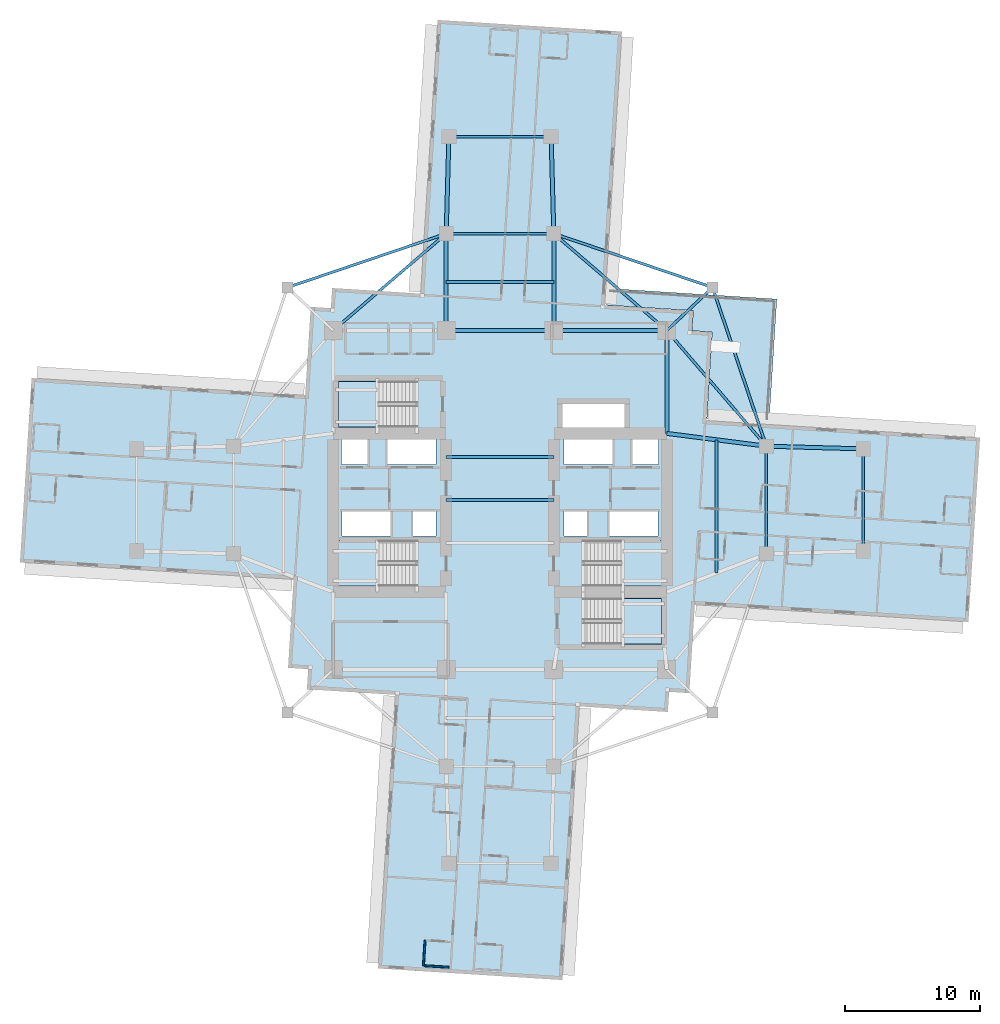
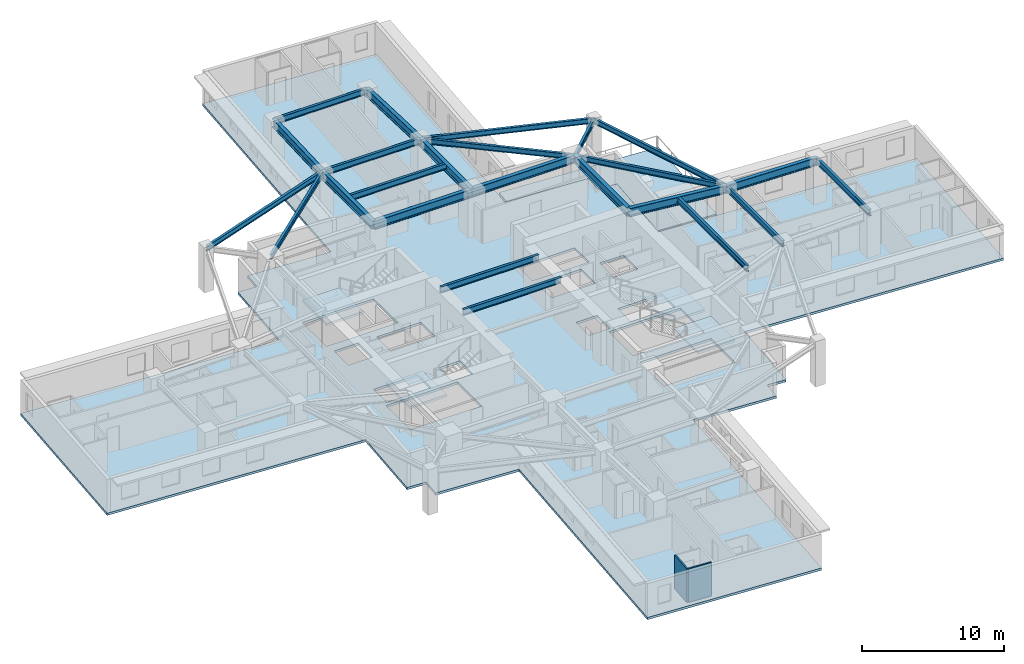
# One storey, part 2 of 14: 24 beams, 6 slabs, 2 walls, 4 elements without a shape of their own.
"""IFC4 building model written with IfcOpenShell, lengths in metres."""

from ifc_helpers import new_model, si_unit, direction, frame, frame_2d, origin, origin_2d, place, context, subcontext, project, spatial, polyline, rectangle, i_section, outline, extrude, material, layer, layer_set, material_profile, profile_set, type_object, element, aggregate, save


model = new_model("IFC4")

# Units and contexts
model_context = context("Model", 3, precision=1e-05, world=origin(), true_north=direction((0.0, 1.0)))
body_context = subcontext(model_context, "Body", "Model", "MODEL_VIEW")
ifc_project = project(units=[si_unit("LENGTHUNIT", "METRE"), si_unit("AREAUNIT", "SQUARE_METRE"), si_unit("VOLUMEUNIT", "CUBIC_METRE"), si_unit("PLANEANGLEUNIT", "RADIAN"), si_unit("MASSUNIT", "GRAM", prefix="KILO")], contexts=[model_context])

# Site, building, storey
site_placement = place(None, origin())
site = spatial("IfcSite", under=ifc_project, at=site_placement, CompositionType="ELEMENT")
building_placement = place(site_placement, origin())
building = spatial("IfcBuilding", under=site, at=building_placement, Name="Qingluan Cross Belvedere", CompositionType="ELEMENT")
storey_placement = place(building_placement, frame((0.0, 0.0, 79.5)))
storey = spatial("IfcBuildingStorey", under=building, at=storey_placement, Name="L20", CompositionType="ELEMENT", Elevation=79.5)

# Beams
ifc_material_1 = material(Name="Steel Q420GJB", Category="steel")
ifc_material_profile_1 = material_profile(ifc_material_1, i_section(OverallWidth=0.199951171875, OverallDepth=0.449951171875, WebThickness=0.009033203125, FlangeThickness=0.013916015625, FilletRadius=0.01611328125, at=origin_2d()), Name="HN450x200x9x14")
ifc_profile_set_1 = profile_set([ifc_material_profile_1], Name="Steel Q420GJB")
beam_type_1 = type_object("IfcBeamType", Name="Steel_Beam_HN450x200x9x14", PredefinedType="JOIST", material=ifc_profile_set_1)
beam_1_placement = place(storey_placement, frame((12.39990234375, 12.60009765625, 3.455078125), z_axis=(0.728219948308, 0.685343495546, 0.0), x_axis=(-0.685343495546, 0.728219948308, 0.0)))
element("IfcBeam", 1, at=beam_1_placement, inside=storey, type_object=beam_type_1, Name="Corner beam 1 L20-RNE", PredefinedType="JOIST", context=body_context, shape_type="SweptSolid", body=[
    extrude(i_section(OverallWidth=0.199951171875, OverallDepth=0.449951171875, WebThickness=0.009033203125, FlangeThickness=0.013916015625, FilletRadius=0.01611328125, at=origin_2d()), origin(), (0.0, 0.0, 1.0), 4.669189453125),
])
for number, where, z_axis, x_axis, name in (
    (2, (15.800048828125, 15.800048828125, 3.47509765625), (-0.947066283324, 0.321038089628, 0.0), (-0.321038089628, -0.947066283324, 0.0), "Corner beam 2 L20-RNE"),
    (3, (15.800048828125, 15.800048828125, 3.455078125), (0.321038089628, -0.947066283324, 0.0), (0.947066283324, 0.321038089628, 0.0), "Corner beam 3 L20-RNE"),
):
    element("IfcBeam", number, at=place(storey_placement, frame(where, z_axis=z_axis, x_axis=x_axis)), inside=storey, type_object=beam_type_1, Name=name, PredefinedType="JOIST", context=body_context, shape_type="SweptSolid", body=[
        extrude(i_section(OverallWidth=0.199951171875, OverallDepth=0.449951171875, WebThickness=0.009033203125, FlangeThickness=0.013916015625, FilletRadius=0.01611328125, at=origin_2d()), origin(), (0.0, 0.0, 1.0), 12.45947265625),
    ])
beam_2_placement = place(storey_placement, frame((12.39990234375, 12.60009765625, 3.455078125), z_axis=(0.652245077546, -0.75800815221, 0.0), x_axis=(0.75800815221, 0.652245077546, 0.0)))
element("IfcBeam", 4, at=beam_2_placement, inside=storey, type_object=beam_type_1, Name="Corner beam 4 L20-RNE", PredefinedType="JOIST", context=body_context, shape_type="SweptSolid", body=[
    extrude(i_section(OverallWidth=0.199951171875, OverallDepth=0.449951171875, WebThickness=0.009033203125, FlangeThickness=0.013916015625, FilletRadius=0.01611328125, at=origin_2d()), origin(), (0.0, 0.0, 1.0), 11.345703125),
])
beam_3_placement = place(storey_placement, frame((12.39990234375, 12.60009765625, 3.455078125), z_axis=(-0.759255044656, 0.650793190779, 0.0), x_axis=(-0.650793190779, -0.759255044656, 0.0)))
element("IfcBeam", 5, at=beam_3_placement, inside=storey, type_object=beam_type_1, Name="Corner beam 5 L20-RNE", PredefinedType="JOIST", context=body_context, shape_type="SweptSolid", body=[
    extrude(i_section(OverallWidth=0.199951171875, OverallDepth=0.449951171875, WebThickness=0.009033203125, FlangeThickness=0.013916015625, FilletRadius=0.01611328125, at=origin_2d()), origin(), (0.0, 0.0, 1.0), 11.063232421875),
])
beam_4_placement = place(storey_placement, frame((-15.800048828125, 15.800048828125, 3.47509765625), z_axis=(0.947066283324, 0.321038089628, 0.0), x_axis=(-0.321038089628, 0.947066283324, 0.0)))
element("IfcBeam", 6, at=beam_4_placement, inside=storey, type_object=beam_type_1, Name="Corner beam 2 L20-RNW", PredefinedType="JOIST", context=body_context, shape_type="SweptSolid", body=[
    extrude(i_section(OverallWidth=0.199951171875, OverallDepth=0.449951171875, WebThickness=0.009033203125, FlangeThickness=0.013916015625, FilletRadius=0.01611328125, at=origin_2d()), origin(), (0.0, 0.0, 1.0), 12.45947265625),
])
beam_5_placement = place(storey_placement, frame((-12.39990234375, 12.60009765625, 3.47509765625), z_axis=(0.759255044656, 0.650793190779, 0.0), x_axis=(-0.650793190779, 0.759255044656, 0.0)))
element("IfcBeam", 7, at=beam_5_placement, inside=storey, type_object=beam_type_1, Name="Corner beam 5 L20-RNW", PredefinedType="JOIST", context=body_context, shape_type="SweptSolid", body=[
    extrude(i_section(OverallWidth=0.199951171875, OverallDepth=0.449951171875, WebThickness=0.009033203125, FlangeThickness=0.013916015625, FilletRadius=0.01611328125, at=origin_2d()), origin(), (0.0, 0.0, 1.0), 11.063232421875),
])
ifc_material_2 = material(Name="Steel Q420GJB", Category="steel")
ifc_material_profile_2 = material_profile(ifc_material_2, i_section(OverallWidth=0.199951171875, OverallDepth=0.5, WebThickness=0.010009765625, FlangeThickness=0.01611328125, FilletRadius=0.01611328125, at=origin_2d()), Name="HN500x200x10x16")
ifc_profile_set_2 = profile_set([ifc_material_profile_2], Name="Steel Q420GJB")
beam_type_2 = type_object("IfcBeamType", Name="Steel_Beam_HN500x200x10x16", PredefinedType="JOIST", material=ifc_profile_set_2)
for number, where, z_axis, x_axis, name in (
    (8, (-4.0, 0.0, 3.449951171875), (1.0, 0.0, 0.0), (0.0, 1.0, 0.0), "Hall beam L20-CH2"),
    (9, (-4.0, 3.199951171875, 3.449951171875), (1.0, 0.0, 0.0), (0.0, 1.0, 0.0), "Hall beam L20-CH3"),
    (10, (19.800048828125, -4.0, 3.449951171875), (0.0, 1.0, 0.0), (-1.0, 0.0, 0.0), "Arm E tie L20"),
):
    element("IfcBeam", number, at=place(storey_placement, frame(where, z_axis=z_axis, x_axis=x_axis)), inside=storey, type_object=beam_type_2, Name=name, PredefinedType="JOIST", context=body_context, shape_type="SweptSolid", body=[
        extrude(i_section(OverallWidth=0.199951171875, OverallDepth=0.5, WebThickness=0.010009765625, FlangeThickness=0.01611328125, FilletRadius=0.01611328125, at=origin_2d()), origin(), (0.0, 0.0, 1.0), 8.0),
    ])
beam_6_placement = place(storey_placement, frame((16.10009765625, -5.425048828125, 3.449951171875), z_axis=(0.0, 1.0, 0.0), x_axis=(-1.0, 0.0, 0.0)))
element("IfcBeam", 11, at=beam_6_placement, inside=storey, type_object=beam_type_2, Name="Arm E beam L20", PredefinedType="JOIST", context=body_context, shape_type="SweptSolid", body=[
    extrude(i_section(OverallWidth=0.199951171875, OverallDepth=0.5, WebThickness=0.010009765625, FlangeThickness=0.01611328125, FilletRadius=0.01611328125, at=origin_2d()), origin(), (0.0, 0.0, 1.0), 9.900146484375),
])
beam_7_placement = place(storey_placement, frame((27.0, -3.800048828125, 3.449951171875), z_axis=(0.0, 1.0, 0.0), x_axis=(-1.0, 0.0, 0.0)))
element("IfcBeam", 12, at=beam_7_placement, inside=storey, type_object=beam_type_2, Name="Arm E tip transverse beam L20", PredefinedType="JOIST", context=body_context, shape_type="SweptSolid", body=[
    extrude(i_section(OverallWidth=0.199951171875, OverallDepth=0.5, WebThickness=0.010009765625, FlangeThickness=0.01611328125, FilletRadius=0.01611328125, at=origin_2d()), origin(), (0.0, 0.0, 1.0), 7.60009765625),
])
for number, where, z_axis, x_axis, name in (
    (13, (-4.0, 19.800048828125, 3.449951171875), (1.0, 0.0, 0.0), (0.0, 1.0, 0.0), "Arm N tie L20"),
    (14, (-4.0, 16.199951171875, 3.449951171875), (1.0, 0.0, 0.0), (0.0, 1.0, 0.0), "Arm N beam L20"),
):
    element("IfcBeam", number, at=place(storey_placement, frame(where, z_axis=z_axis, x_axis=x_axis)), inside=storey, type_object=beam_type_2, Name=name, PredefinedType="JOIST", context=body_context, shape_type="SweptSolid", body=[
        extrude(i_section(OverallWidth=0.199951171875, OverallDepth=0.5, WebThickness=0.010009765625, FlangeThickness=0.01611328125, FilletRadius=0.01611328125, at=origin_2d()), origin(), (0.0, 0.0, 1.0), 8.0),
    ])
beam_8_placement = place(storey_placement, frame((-3.800048828125, 27.0, 3.449951171875), z_axis=(1.0, 0.0, 0.0), x_axis=(0.0, 1.0, 0.0)))
element("IfcBeam", 15, at=beam_8_placement, inside=storey, type_object=beam_type_2, Name="Arm N tip transverse beam L20", PredefinedType="JOIST", context=body_context, shape_type="SweptSolid", body=[
    extrude(i_section(OverallWidth=0.199951171875, OverallDepth=0.5, WebThickness=0.010009765625, FlangeThickness=0.01611328125, FilletRadius=0.01611328125, at=origin_2d()), origin(), (0.0, 0.0, 1.0), 7.60009765625),
])
ifc_material_3 = material(Name="Steel Q420GJB", Category="steel")
ifc_material_profile_3 = material_profile(ifc_material_3, i_section(OverallWidth=0.300048828125, OverallDepth=0.699951171875, WebThickness=0.014892578125, FlangeThickness=0.027099609375, FilletRadius=0.027099609375, at=origin_2d()), Name="HEB700")
ifc_profile_set_3 = profile_set([ifc_material_profile_3], Name="Steel Q420GJB")
beam_type_3 = type_object("IfcBeamType", Name="Steel_Girder_HEB700", PredefinedType="USERDEFINED", material=ifc_profile_set_3)
beam_9_placement = place(storey_placement, frame((-4.0, 12.60009765625, 3.35009765625), z_axis=(1.0, 0.0, 0.0), x_axis=(0.0, 1.0, 0.0)))
element("IfcBeam", 16, at=beam_9_placement, inside=storey, type_object=beam_type_3, Name="Hub girder L20-HG-N2", ObjectType="GIRDER", PredefinedType="USERDEFINED", context=body_context, shape_type="SweptSolid", body=[
    extrude(i_section(OverallWidth=0.300048828125, OverallDepth=0.699951171875, WebThickness=0.014892578125, FlangeThickness=0.027099609375, FilletRadius=0.027099609375, at=origin_2d()), origin(), (0.0, 0.0, 1.0), 8.0),
])
beam_10_placement = place(storey_placement, frame((4.0, 12.60009765625, 3.35009765625), z_axis=(1.0, 0.0, 0.0), x_axis=(0.0, 1.0, 0.0)))
element("IfcBeam", 17, at=beam_10_placement, inside=storey, type_object=beam_type_3, Name="Hub girder L20-HG-N3", ObjectType="GIRDER", PredefinedType="USERDEFINED", context=body_context, shape_type="SweptSolid", body=[
    extrude(i_section(OverallWidth=0.300048828125, OverallDepth=0.699951171875, WebThickness=0.014892578125, FlangeThickness=0.027099609375, FilletRadius=0.027099609375, at=origin_2d()), origin(), (0.0, 0.0, 1.0), 8.39990234375),
])
beam_11_placement = place(storey_placement, frame((12.39990234375, 4.949951171875, 3.35009765625), z_axis=(0.0, 1.0, 0.0), x_axis=(-1.0, 0.0, 0.0)))
element("IfcBeam", 18, at=beam_11_placement, inside=storey, type_object=beam_type_3, Name="Hub girder L20-HG-E2", ObjectType="GIRDER", PredefinedType="USERDEFINED", context=body_context, shape_type="SweptSolid", body=[
    extrude(i_section(OverallWidth=0.300048828125, OverallDepth=0.699951171875, WebThickness=0.014892578125, FlangeThickness=0.027099609375, FilletRadius=0.027099609375, at=origin_2d()), origin(), (0.0, 0.0, 1.0), 7.650146484375),
])
beam_12_placement = place(storey_placement, frame((12.39990234375, 4.949951171875, 3.35009765625), z_axis=(0.991861120628, -0.12732445714, 0.0), x_axis=(0.12732445714, 0.991861120628, 0.0)))
element("IfcBeam", 19, at=beam_12_placement, inside=storey, type_object=beam_type_3, Name="Arm E radial girder B L20", ObjectType="GIRDER", PredefinedType="USERDEFINED", context=body_context, shape_type="SweptSolid", body=[
    extrude(i_section(OverallWidth=0.300048828125, OverallDepth=0.699951171875, WebThickness=0.014892578125, FlangeThickness=0.027099609375, FilletRadius=0.027099609375, at=origin_2d()), origin(), (0.0, 0.0, 1.0), 7.4609375),
])
beam_13_placement = place(storey_placement, frame((19.800048828125, 4.0, 3.35009765625), z_axis=(0.999614603568, -0.027760481514, 0.0), x_axis=(0.027760481514, 0.999614603568, 0.0)))
element("IfcBeam", 20, at=beam_13_placement, inside=storey, type_object=beam_type_3, Name="Arm E outer radial girder B L20", ObjectType="GIRDER", PredefinedType="USERDEFINED", context=body_context, shape_type="SweptSolid", body=[
    extrude(i_section(OverallWidth=0.300048828125, OverallDepth=0.699951171875, WebThickness=0.014892578125, FlangeThickness=0.027099609375, FilletRadius=0.027099609375, at=origin_2d()), origin(), (0.0, 0.0, 1.0), 7.20263671875),
])
for number, where, z_axis, x_axis, name in (
    (21, (-4.0, 12.60009765625, 3.35009765625), (0.0, 1.0, 0.0), (-1.0, 0.0, 0.0), "Arm N radial girder A L20"),
    (22, (4.0, 12.60009765625, 3.35009765625), (0.0, 1.0, 0.0), (-1.0, 0.0, 0.0), "Arm N radial girder B L20"),
):
    element("IfcBeam", number, at=place(storey_placement, frame(where, z_axis=z_axis, x_axis=x_axis)), inside=storey, type_object=beam_type_3, Name=name, ObjectType="GIRDER", PredefinedType="USERDEFINED", context=body_context, shape_type="SweptSolid", body=[
        extrude(i_section(OverallWidth=0.300048828125, OverallDepth=0.699951171875, WebThickness=0.014892578125, FlangeThickness=0.027099609375, FilletRadius=0.027099609375, at=origin_2d()), origin(), (0.0, 0.0, 1.0), 7.199951171875),
    ])
for number, where, z_axis, x_axis, name in (
    (23, (-4.0, 19.800048828125, 3.35009765625), (0.027760481514, 0.999614603568, 0.0), (-0.999614603568, 0.027760481514, 0.0), "Arm N outer radial girder A L20"),
    (24, (4.0, 19.800048828125, 3.35009765625), (-0.027760481514, 0.999614603568, 0.0), (-0.999614603568, -0.027760481514, 0.0), "Arm N outer radial girder B L20"),
):
    element("IfcBeam", number, at=place(storey_placement, frame(where, z_axis=z_axis, x_axis=x_axis)), inside=storey, type_object=beam_type_3, Name=name, ObjectType="GIRDER", PredefinedType="USERDEFINED", context=body_context, shape_type="SweptSolid", body=[
        extrude(i_section(OverallWidth=0.300048828125, OverallDepth=0.699951171875, WebThickness=0.014892578125, FlangeThickness=0.027099609375, FilletRadius=0.027099609375, at=origin_2d()), origin(), (0.0, 0.0, 1.0), 7.20263671875),
    ])

# Slab
ifc_material_4 = material(Name="Concrete C40", Category="concrete")
ifc_layer_1 = layer(ifc_material_4, 0.199951171875, Name="FloorSlab_200")
ifc_layer_set_1 = layer_set([ifc_layer_1], Name="Concrete C40")
slab_type_1 = type_object("IfcSlabType", Name="FloorSlab_200", PredefinedType="FLOOR", material=ifc_layer_set_1)
slab_1_placement = place(storey_placement, frame((0.0, 0.0, -0.199951171875)))
element("IfcSlab", 25, at=slab_1_placement, inside=storey, type_object=slab_type_1, Name="Structural floor slab L20", PredefinedType="FLOOR", context=body_context, shape_type="SweptSolid", body=[
    extrude(outline(polyline([(4.628662109375, -35.680908203125), (5.908447265625, -15.34130859375), (12.475341796875, -15.75439453125), (12.569580078125, -14.25732421875), (14.066650390625, -14.3515625), (14.479736328125, -7.78466796875), (34.819580078125, -9.064208984375), (35.680908203125, 4.628662109375), (15.34130859375, 5.908447265625), (15.75439453125, 12.475341796875), (14.25732421875, 12.569580078125), (14.3515625, 14.066650390625), (7.78466796875, 14.479736328125), (9.064208984375, 34.819580078125), (-4.628662109375, 35.680908203125), (-5.908447265625, 15.34130859375), (-12.475341796875, 15.75439453125), (-12.569580078125, 14.25732421875), (-14.066650390625, 14.3515625), (-14.479736328125, 7.78466796875), (-34.819580078125, 9.064208984375), (-35.680908203125, -4.628662109375), (-15.34130859375, -5.908447265625), (-15.75439453125, -12.475341796875), (-14.25732421875, -12.569580078125), (-14.3515625, -14.066650390625), (-7.78466796875, -14.479736328125), (-9.064208984375, -34.819580078125), (4.628662109375, -35.680908203125)]), holes=[polyline([(-12.0, -3.0), (-6.179931640625, -3.0), (-6.179931640625, -6.39990234375), (-12.0, -6.39990234375), (-12.0, -3.0)]), polyline([(6.179931640625, -3.0), (12.0, -3.0), (12.0, -6.39990234375), (6.179931640625, -6.39990234375), (6.179931640625, -3.0)]), polyline([(-12.0, 8.820068359375), (-6.179931640625, 8.820068359375), (-6.179931640625, 5.419921875), (-12.0, 5.419921875), (-12.0, 8.820068359375)]), polyline([(6.179931640625, -7.320068359375), (12.0, -7.320068359375), (12.0, -10.719970703125), (6.179931640625, -10.719970703125), (6.179931640625, -7.320068359375)]), polyline([(-11.800048828125, 4.64990234375), (-9.85009765625, 4.64990234375), (-9.85009765625, 2.64990234375), (-11.800048828125, 2.64990234375), (-11.800048828125, 4.64990234375)]), polyline([(-8.35009765625, 4.64990234375), (-4.75, 4.64990234375), (-4.75, 2.64990234375), (-8.35009765625, 2.64990234375), (-8.35009765625, 4.64990234375)]), polyline([(4.75, 4.64990234375), (8.35009765625, 4.64990234375), (8.35009765625, 2.64990234375), (4.75, 2.64990234375), (4.75, 4.64990234375)]), polyline([(9.85009765625, 4.64990234375), (11.800048828125, 4.64990234375), (11.800048828125, 2.64990234375), (9.85009765625, 2.64990234375), (9.85009765625, 4.64990234375)]), polyline([(-11.75, -0.840087890625), (-8.14990234375, -0.840087890625), (-8.14990234375, -2.659912109375), (-11.75, -2.659912109375), (-11.75, -0.840087890625)]), polyline([(-6.449951171875, -0.840087890625), (-4.75, -0.840087890625), (-4.75, -2.659912109375), (-6.449951171875, -2.659912109375), (-6.449951171875, -0.840087890625)]), polyline([(4.75, -0.840087890625), (6.449951171875, -0.840087890625), (6.449951171875, -2.659912109375), (4.75, -2.659912109375), (4.75, -0.840087890625)]), polyline([(8.14990234375, -0.840087890625), (11.75, -0.840087890625), (11.75, -2.659912109375), (8.14990234375, -2.659912109375), (8.14990234375, -0.840087890625)]), polyline([(4.64990234375, 7.14990234375), (9.25, 7.14990234375), (9.25, 5.14990234375), (4.64990234375, 5.14990234375), (4.64990234375, 7.14990234375)])]), origin(), (0.0, 0.0, 1.0), 0.199951171875),
])

# Stair, slab
ifc_material_5 = material(Name="Concrete C40", Category="concrete")
stair_type = type_object("IfcStairType", Name="CoreDoglegStair_1620", PredefinedType="HALF_TURN_STAIR", material=ifc_material_5)
stair_1_placement = place(storey_placement, origin())
stair_1 = element("IfcStair", 26, at=stair_1_placement, inside=storey, type_object=stair_type, Name="L20 ST1", PredefinedType="HALF_TURN_STAIR")
ifc_material_6 = material(Name="Concrete C40", Category="concrete")
ifc_layer_2 = layer(ifc_material_6, 0.179931640625, Name="StairLandingSlab_180")
ifc_layer_set_2 = layer_set([ifc_layer_2], Name="Concrete C40")
slab_type_2 = type_object("IfcSlabType", Name="StairLandingSlab_180", PredefinedType="LANDING", material=ifc_layer_set_2)
slab_2_placement = place(storey_placement, frame((0.0, 0.0, 1.75)))
slab_2 = element("IfcSlab", 27, at=slab_2_placement, type_object=slab_type_2, Name="ST1 landing 1", PredefinedType="LANDING", context=body_context, shape_type="SweptSolid", body=[
    extrude(outline(polyline([(-8.97998046875, -3.0), (-12.0, -3.0), (-12.0, -6.39990234375), (-8.97998046875, -6.39990234375), (-8.97998046875, -3.0)])), origin(), (0.0, 0.0, 1.0), 0.199951171875),
])
aggregate(stair_1, [slab_2])

stair_2_placement = place(storey_placement, origin())
stair_2 = element("IfcStair", 28, at=stair_2_placement, inside=storey, type_object=stair_type, Name="L20 ST2", PredefinedType="HALF_TURN_STAIR")
slab_3_placement = place(storey_placement, frame((0.0, 0.0, 1.75)))
slab_3 = element("IfcSlab", 29, at=slab_3_placement, type_object=slab_type_2, Name="ST2 landing 1", PredefinedType="LANDING", context=body_context, shape_type="SweptSolid", body=[
    extrude(outline(polyline([(8.97998046875, -6.39990234375), (12.0, -6.39990234375), (12.0, -3.0), (8.97998046875, -3.0), (8.97998046875, -6.39990234375)])), origin(), (0.0, 0.0, 1.0), 0.199951171875),
])
aggregate(stair_2, [slab_3])

stair_3_placement = place(storey_placement, origin())
stair_3 = element("IfcStair", 30, at=stair_3_placement, inside=storey, type_object=stair_type, Name="L20 ST3", PredefinedType="HALF_TURN_STAIR")
slab_4_placement = place(storey_placement, frame((0.0, 0.0, 1.75)))
slab_4 = element("IfcSlab", 31, at=slab_4_placement, type_object=slab_type_2, Name="ST3 landing 1", PredefinedType="LANDING", context=body_context, shape_type="SweptSolid", body=[
    extrude(outline(polyline([(-8.97998046875, 8.820068359375), (-12.0, 8.820068359375), (-12.0, 5.419921875), (-8.97998046875, 5.419921875), (-8.97998046875, 8.820068359375)])), origin(), (0.0, 0.0, 1.0), 0.199951171875),
])
aggregate(stair_3, [slab_4])

stair_4_placement = place(storey_placement, origin())
stair_4 = element("IfcStair", 32, at=stair_4_placement, inside=storey, type_object=stair_type, Name="L20 ST4", PredefinedType="HALF_TURN_STAIR")
slab_5_placement = place(storey_placement, frame((0.0, 0.0, 1.75)))
slab_5 = element("IfcSlab", 33, at=slab_5_placement, type_object=slab_type_2, Name="ST4 landing 1", PredefinedType="LANDING", context=body_context, shape_type="SweptSolid", body=[
    extrude(outline(polyline([(8.97998046875, -10.719970703125), (12.0, -10.719970703125), (12.0, -7.320068359375), (8.97998046875, -7.320068359375), (8.97998046875, -10.719970703125)])), origin(), (0.0, 0.0, 1.0), 0.199951171875),
])
aggregate(stair_4, [slab_5])

# Slab
ifc_material_7 = material(Name="Concrete C40", Category="concrete")
ifc_layer_3 = layer(ifc_material_7, 0.219970703125, Name="TerraceSlab_220")
ifc_layer_set_3 = layer_set([ifc_layer_3], Name="Concrete C40")
slab_type_3 = type_object("IfcSlabType", Name="TerraceSlab_220", PredefinedType="FLOOR", material=ifc_layer_set_3)
slab_6_placement = place(storey_placement, frame((0.0, 0.0, -0.219970703125)))
element("IfcSlab", 34, at=slab_6_placement, inside=storey, type_object=slab_type_3, Name="Spiralling winter-garden terrace slab L20", PredefinedType="FLOOR", context=body_context, shape_type="SweptSolid", body=[
    extrude(outline(polyline([(7.9248046875, 14.48095703125), (14.357666015625, 14.07470703125), (14.26806640625, 12.578857421875), (15.755126953125, 12.4853515625), (15.764404296875, 12.476806640625), (15.360107421875, 6.047607421875), (20.0009765625, 5.755615234375), (20.57861328125, 14.937255859375), (8.00341796875, 15.728515625), (7.9248046875, 14.48095703125)])), origin(), (0.0, 0.0, 1.0), 0.219970703125),
])

# Walls
ifc_material_8 = material(Name="Moisture-resistant gypsum board lining")
ifc_layer_4 = layer(ifc_material_8, 0.1201171875, Name="EnsuiteWetPartition_120")
ifc_layer_set_4 = layer_set([ifc_layer_4], Name="Moisture-resistant gypsum board lining")
wall_type = type_object("IfcWallType", Name="EnsuiteWetPartition_120", PredefinedType="PARTITIONING", material=ifc_layer_set_4)
wall_1_placement = place(storey_placement, frame((-5.62451171875, -34.614990234375, 0.0), z_axis=(0.0, 0.0, 1.0), x_axis=(0.998019030272, -0.062912758763, 0.0)))
element("IfcWall", 35, at=wall_1_placement, inside=storey, type_object=wall_type, Name="Partition L20:S:bw1_2", PredefinedType="PARTITIONING", context=body_context, shape_type="SweptSolid", body=[
    extrude(rectangle(XDim=1.820068359375, YDim=0.1201171875, at=frame_2d((0.91015625, 0.0))), origin(), (0.0, 0.0, 1.0), 2.89990234375),
])
wall_2_placement = place(storey_placement, frame((-5.5712890625, -32.73486328125, 0.0), z_axis=(0.0, 0.0, 1.0), x_axis=(-0.062855297722, -0.998022650819, 0.0)))
element("IfcWall", 36, at=wall_2_placement, inside=storey, type_object=wall_type, Name="Partition L20:S:bc1_2", PredefinedType="PARTITIONING", context=body_context, shape_type="SweptSolid", body=[
    extrude(rectangle(XDim=1.8798828125, YDim=0.1201171875, at=frame_2d((0.93994140625, 0.0))), origin(), (0.0, 0.0, 1.0), 2.89990234375),
])

save(model, "model.ifc")
